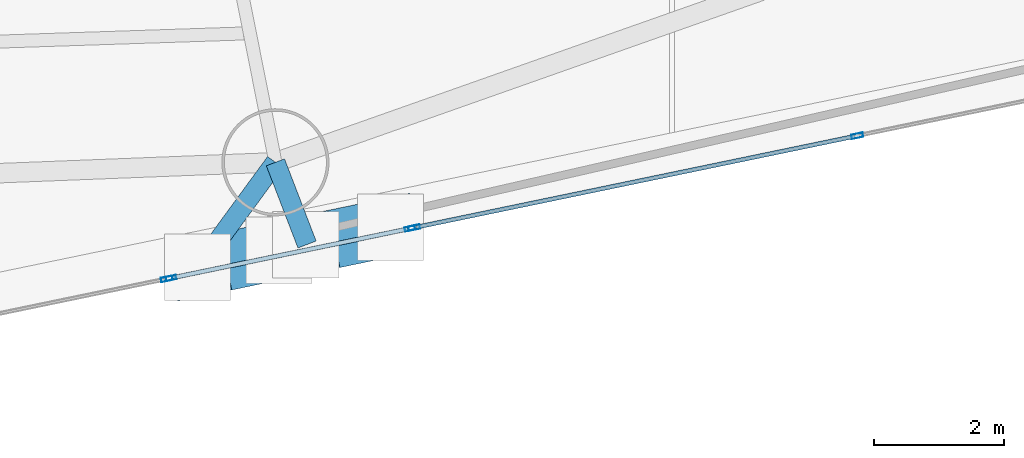
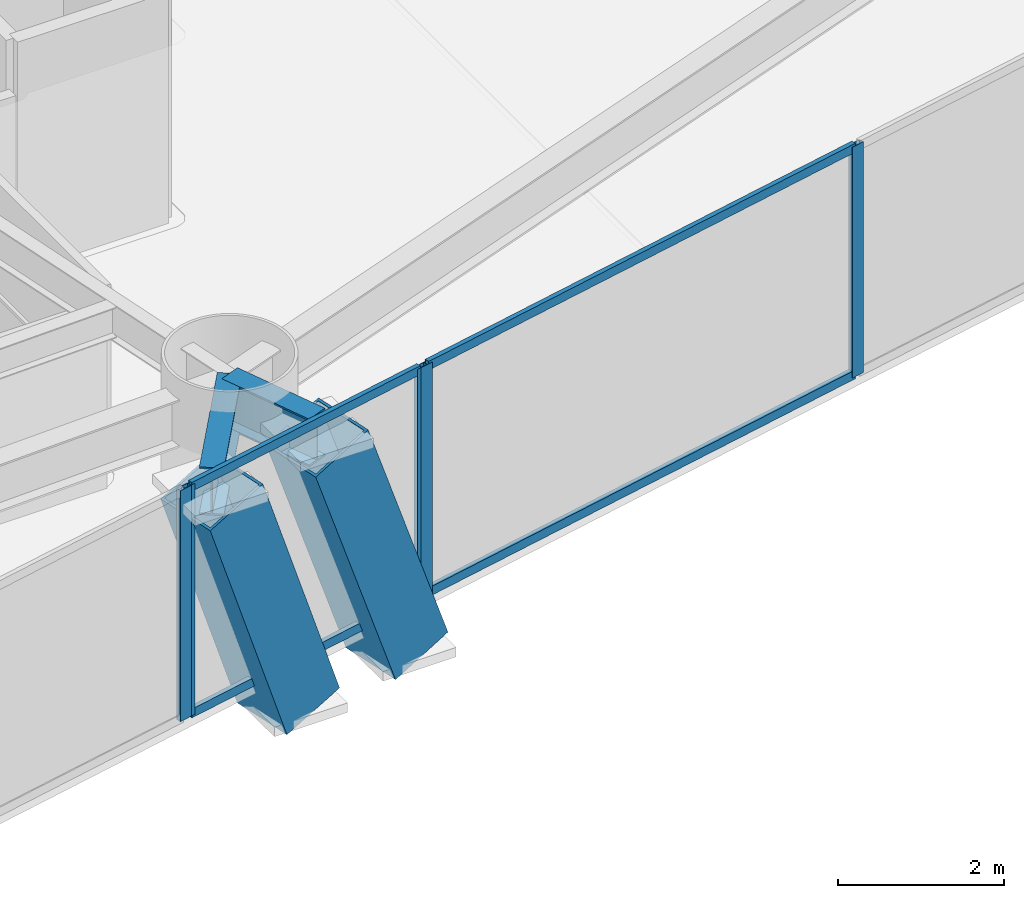
# One storey, part 4 of 22: 11 members, 2 beams, 3 elements without a shape of their own.
"""IFC4 building model written with IfcOpenShell, lengths in metres."""

from ifc_helpers import new_model, si_unit, direction, frame, origin, origin_2d, place, context, subcontext, project, spatial, hollow_rectangle, i_section, extrude, material, layer, layer_set, material_profile, profile_set, type_object, element, aggregate, save


model = new_model("IFC4")

# Units and contexts
model_context = context("Model", 3, precision=1e-05, world=origin(), true_north=direction((0.0, 1.0)))
body_context = subcontext(model_context, "Body", "Model", "MODEL_VIEW")
ifc_project = project(units=[si_unit("LENGTHUNIT", "METRE"), si_unit("AREAUNIT", "SQUARE_METRE"), si_unit("VOLUMEUNIT", "CUBIC_METRE"), si_unit("PLANEANGLEUNIT", "RADIAN"), si_unit("MASSUNIT", "GRAM", prefix="KILO")], contexts=[model_context])

# Site, building, storey
site_placement = place(None, origin())
site = spatial("IfcSite", under=ifc_project, at=site_placement, CompositionType="ELEMENT")
building_placement = place(site_placement, origin())
building = spatial("IfcBuilding", under=site, at=building_placement, Name="Qianvela Tower", CompositionType="ELEMENT")
storey_placement = place(building_placement, frame((0.0, 0.0, 89.5)))
storey = spatial("IfcBuildingStorey", under=building, at=storey_placement, Name="L22", CompositionType="ELEMENT", Elevation=89.5)

# Beams
ifc_material_1 = material(Name="Steel Q355B", Category="steel")
ifc_material_profile_1 = material_profile(ifc_material_1, i_section(OverallWidth=0.300048828125, OverallDepth=0.699951171875, WebThickness=0.012939453125, FlangeThickness=0.02392578125, at=origin_2d()), Name="HN700x300x13x24")
ifc_profile_set_1 = profile_set([ifc_material_profile_1], Name="Steel Q355B")
beam_type = type_object("IfcBeamType", Name="BM-HN700-SPAND", PredefinedType="SPANDREL", material=ifc_profile_set_1)
beam_1_placement = place(storey_placement, frame((40.18896484375, 14.819091796875, 3.048095703125), z_axis=(-0.590828364061, -0.806797275789, 0.0), x_axis=(0.806797275789, -0.590828364061, 0.0)))
element("IfcBeam", 1, at=beam_1_placement, inside=storey, type_object=beam_type, Name="L22 Mega-Brace Column Tie Bracket F3-1", PredefinedType="SPANDREL", context=body_context, shape_type="SweptSolid", body=[
    extrude(i_section(OverallWidth=0.300048828125, OverallDepth=0.699951171875, WebThickness=0.012939453125, FlangeThickness=0.02392578125, at=origin_2d()), origin(), (0.0, 0.0, 1.0), 1.99755859375),
])
beam_2_placement = place(storey_placement, frame((40.18896484375, 14.819091796875, 3.048095703125), z_axis=(0.359039377657, -0.933322412295, 0.0), x_axis=(0.933322412295, 0.359039377657, 0.0)))
element("IfcBeam", 2, at=beam_2_placement, inside=storey, type_object=beam_type, Name="L22 Mega-Brace Column Tie Bracket F3-2", PredefinedType="SPANDREL", context=body_context, shape_type="SweptSolid", body=[
    extrude(i_section(OverallWidth=0.300048828125, OverallDepth=0.699951171875, WebThickness=0.012939453125, FlangeThickness=0.02392578125, at=origin_2d()), origin(), (0.0, 0.0, 1.0), 1.3564453125),
])

# Curtain wall, members
ifc_material_2 = material(Name="Anodised Architectural Aluminium and Insulated Spandrel Panel", Category="aluminium")
ifc_layer_1 = layer(ifc_material_2, 0.179931640625)
ifc_layer_set_1 = layer_set([ifc_layer_1], Name="Anodised Architectural Aluminium and Insulated Spandrel Panel")
curtain_wall_type_1 = type_object("IfcCurtainWallType", Name="CW-BRACEBAY", PredefinedType="USERDEFINED", material=ifc_layer_set_1)
curtain_wall_1_placement = place(storey_placement, origin())
curtain_wall_1 = element("IfcCurtainWall", 3, at=curtain_wall_1_placement, inside=storey, type_object=curtain_wall_type_1, Name="L22 CW-BRACEBAY Curtain Wall 06B", ObjectType="CURTAIN_WALL_SYSTEM", PredefinedType="USERDEFINED")
ifc_material_3 = material(Name="Anodised Architectural Aluminium 6063-T6", Category="aluminium")
ifc_material_profile_2 = material_profile(ifc_material_3, hollow_rectangle(XDim=0.06494140625, YDim=0.159912109375, WallThickness=0.0048828125, at=origin_2d()), Name="ALU-MULL-65x160")
ifc_profile_set_2 = profile_set([ifc_material_profile_2], Name="Anodised Architectural Aluminium 6063-T6")
member_type_1 = type_object("IfcMemberType", Name="CW-BRACEBAY-MULL", PredefinedType="MULLION", material=ifc_profile_set_2)
member_1_placement = place(storey_placement, frame((38.582275390625, 13.037353515625, 0.0), z_axis=(0.0, 0.0, 1.0), x_axis=(-0.203008102716, 0.979177057652, 0.0)))
member_1 = element("IfcMember", 4, at=member_1_placement, type_object=member_type_1, Name="CW-9 mullion 1", PredefinedType="MULLION", context=body_context, shape_type="SweptSolid", body=[
    extrude(hollow_rectangle(XDim=0.06494140625, YDim=0.159912109375, WallThickness=0.0048828125, at=origin_2d()), origin(), (0.0, 0.0, 1.0), 3.39990234375),
])
member_2_placement = place(storey_placement, frame((42.259033203125, 13.799560546875, 0.0), z_axis=(0.0, 0.0, 1.0), x_axis=(-0.203008102716, 0.979177057652, 0.0)))
member_2 = element("IfcMember", 5, at=member_2_placement, type_object=member_type_1, Name="CW-9 mullion 2", PredefinedType="MULLION", context=body_context, shape_type="SweptSolid", body=[
    extrude(hollow_rectangle(XDim=0.06494140625, YDim=0.159912109375, WallThickness=0.0048828125, at=origin_2d()), origin(), (0.0, 0.0, 1.0), 3.39990234375),
])
ifc_material_4 = material(Name="Anodised Architectural Aluminium 6063-T6", Category="aluminium")
ifc_material_profile_3 = material_profile(ifc_material_4, hollow_rectangle(XDim=0.06494140625, YDim=0.1298828125, WallThickness=0.00439453125, at=origin_2d()), Name="ALU-TRAN-65x130")
ifc_profile_set_3 = profile_set([ifc_material_profile_3], Name="Anodised Architectural Aluminium 6063-T6")
member_type_2 = type_object("IfcMemberType", Name="CW-BRACEBAY-TRAN", PredefinedType="USERDEFINED", material=ifc_profile_set_3)
member_3_placement = place(storey_placement, frame((38.614013671875, 13.0439453125, 0.032470703125), z_axis=(0.979182493012, 0.202981884362, 0.0), x_axis=(-0.202981884362, 0.979182493012, 0.0)))
member_3 = element("IfcMember", 6, at=member_3_placement, type_object=member_type_2, Name="CW-9 transom 1.1", ObjectType="TRANSOM", PredefinedType="USERDEFINED", context=body_context, shape_type="SweptSolid", body=[
    extrude(hollow_rectangle(XDim=0.06494140625, YDim=0.1298828125, WallThickness=0.00439453125, at=origin_2d()), origin(), (0.0, 0.0, 1.0), 3.690185546875),
])
member_4_placement = place(storey_placement, frame((38.614013671875, 13.0439453125, 3.367431640625), z_axis=(0.979182493012, 0.202981884362, 0.0), x_axis=(-0.202981884362, 0.979182493012, 0.0)))
member_4 = element("IfcMember", 7, at=member_4_placement, type_object=member_type_2, Name="CW-9 transom 1.2", ObjectType="TRANSOM", PredefinedType="USERDEFINED", context=body_context, shape_type="SweptSolid", body=[
    extrude(hollow_rectangle(XDim=0.06494140625, YDim=0.1298828125, WallThickness=0.00439453125, at=origin_2d()), origin(), (0.0, 0.0, 1.0), 3.690185546875),
])
aggregate(curtain_wall_1, [member_1, member_2, member_3, member_4])

# Curtain wall, member
ifc_material_5 = material(Name="Anodised Architectural Aluminium and Low-E Glass", Category="aluminium")
ifc_layer_2 = layer(ifc_material_5, 0.179931640625)
ifc_layer_set_2 = layer_set([ifc_layer_2], Name="Anodised Architectural Aluminium and Low-E Glass")
curtain_wall_type_2 = type_object("IfcCurtainWallType", Name="CW-COLIV-Z12", PredefinedType="USERDEFINED", material=ifc_layer_set_2)
curtain_wall_2_placement = place(storey_placement, origin())
curtain_wall_2 = element("IfcCurtainWall", 8, at=curtain_wall_2_placement, inside=storey, type_object=curtain_wall_type_2, Name="L22 CW-COLIV-Z12 Curtain Wall 06A", ObjectType="CURTAIN_WALL_SYSTEM", PredefinedType="USERDEFINED")
ifc_material_6 = material(Name="Anodised Architectural Aluminium 6063-T6", Category="aluminium")
ifc_material_profile_4 = material_profile(ifc_material_6, hollow_rectangle(XDim=0.070068359375, YDim=0.179931640625, WallThickness=0.0048828125, at=origin_2d()), Name="ALU-MULL-70x180")
ifc_profile_set_4 = profile_set([ifc_material_profile_4], Name="Anodised Architectural Aluminium 6063-T6")
member_type_3 = type_object("IfcMemberType", Name="CW-COLIV-Z12-MULL", PredefinedType="MULLION", material=ifc_profile_set_4)
member_5_placement = place(storey_placement, frame((38.51611328125, 13.023681640625, 0.0), z_axis=(0.0, 0.0, 1.0), x_axis=(-0.203008219816, 0.979177033374, 0.0)))
member_5 = element("IfcMember", 9, at=member_5_placement, type_object=member_type_3, Name="CW-3 mullion 2", PredefinedType="MULLION", context=body_context, shape_type="SweptSolid", body=[
    extrude(hollow_rectangle(XDim=0.070068359375, YDim=0.179931640625, WallThickness=0.0048828125, at=origin_2d()), origin(), (0.0, 0.0, 1.0), 3.39990234375),
])
aggregate(curtain_wall_2, [member_5])

# Curtain wall, members
curtain_wall_3_placement = place(storey_placement, origin())
curtain_wall_3 = element("IfcCurtainWall", 10, at=curtain_wall_3_placement, inside=storey, type_object=curtain_wall_type_2, Name="L22 CW-COLIV-Z12 Curtain Wall 06C", ObjectType="CURTAIN_WALL_SYSTEM", PredefinedType="USERDEFINED")
member_6_placement = place(storey_placement, frame((42.3251953125, 13.813232421875, 0.0), z_axis=(0.0, 0.0, 1.0), x_axis=(-0.203004041838, 0.979177899565, 0.0)))
member_6 = element("IfcMember", 11, at=member_6_placement, type_object=member_type_3, Name="CW-3 mullion 1", PredefinedType="MULLION", context=body_context, shape_type="SweptSolid", body=[
    extrude(hollow_rectangle(XDim=0.070068359375, YDim=0.179931640625, WallThickness=0.0048828125, at=origin_2d()), origin(), (0.0, 0.0, 1.0), 3.39990234375),
])
member_7_placement = place(storey_placement, frame((49.145263671875, 15.227294921875, 0.0), z_axis=(0.0, 0.0, 1.0), x_axis=(-0.203004041838, 0.979177899565, 0.0)))
member_7 = element("IfcMember", 12, at=member_7_placement, type_object=member_type_3, Name="CW-3 mullion 2", PredefinedType="MULLION", context=body_context, shape_type="SweptSolid", body=[
    extrude(hollow_rectangle(XDim=0.070068359375, YDim=0.179931640625, WallThickness=0.0048828125, at=origin_2d()), origin(), (0.0, 0.0, 1.0), 3.39990234375),
])
ifc_material_7 = material(Name="Anodised Architectural Aluminium 6063-T6", Category="aluminium")
ifc_material_profile_5 = material_profile(ifc_material_7, hollow_rectangle(XDim=0.06494140625, YDim=0.1298828125, WallThickness=0.00439453125, at=origin_2d()), Name="ALU-TRAN-65x130")
ifc_profile_set_5 = profile_set([ifc_material_profile_5], Name="Anodised Architectural Aluminium 6063-T6")
member_type_4 = type_object("IfcMemberType", Name="CW-COLIV-Z12-TRAN", PredefinedType="USERDEFINED", material=ifc_profile_set_5)
member_8_placement = place(storey_placement, frame((42.359375, 13.8203125, 0.032470703125), z_axis=(0.979174094942, 0.203022392348, 0.0), x_axis=(-0.203022392348, 0.979174094942, 0.0)))
member_8 = element("IfcMember", 13, at=member_8_placement, type_object=member_type_4, Name="CW-3 transom 1.1", ObjectType="TRANSOM", PredefinedType="USERDEFINED", context=body_context, shape_type="SweptSolid", body=[
    extrude(hollow_rectangle(XDim=0.06494140625, YDim=0.1298828125, WallThickness=0.00439453125, at=origin_2d()), origin(), (0.0, 0.0, 1.0), 6.895263671875),
])
member_9_placement = place(storey_placement, frame((42.359375, 13.8203125, 3.367431640625), z_axis=(0.979174094942, 0.203022392348, 0.0), x_axis=(-0.203022392348, 0.979174094942, 0.0)))
member_9 = element("IfcMember", 14, at=member_9_placement, type_object=member_type_4, Name="CW-3 transom 1.2", ObjectType="TRANSOM", PredefinedType="USERDEFINED", context=body_context, shape_type="SweptSolid", body=[
    extrude(hollow_rectangle(XDim=0.06494140625, YDim=0.1298828125, WallThickness=0.00439453125, at=origin_2d()), origin(), (0.0, 0.0, 1.0), 6.895263671875),
])
aggregate(curtain_wall_3, [member_6, member_7, member_8, member_9])

# Members
ifc_material_8 = material(Name="Steel Q420GJC", Category="steel")
ifc_material_profile_6 = material_profile(ifc_material_8, hollow_rectangle(XDim=0.89990234375, YDim=0.89990234375, WallThickness=0.035888671875, at=origin_2d()), Name="MBOX-900x900x36")
ifc_profile_set_6 = profile_set([ifc_material_profile_6], Name="Steel Q420GJC")
member_type_5 = type_object("IfcMemberType", Name="MBR-MBRACE-900", PredefinedType="BRACE", material=ifc_profile_set_6)
member_10_placement = place(storey_placement, frame((40.222412109375, 13.458984375, -0.531982421875), z_axis=(-0.320340124743, -0.066375040934, 0.944974369187), x_axis=(0.202892197349, -0.979201080603, 0.0)))
element("IfcMember", 15, at=member_10_placement, inside=storey, type_object=member_type_5, Name="L22 Tier 3 Exterior Mega-Brace F3A", PredefinedType="BRACE", context=body_context, shape_type="SweptSolid", body=[
    extrude(hollow_rectangle(XDim=0.89990234375, YDim=0.89990234375, WallThickness=0.035888671875, at=origin_2d()), origin(), (0.0, 0.0, 1.0), 3.78857421875),
])
member_11_placement = place(storey_placement, frame((41.9384765625, 13.814697265625, -0.531982421875), z_axis=(-0.331773520142, -0.068779967819, 0.940848365763), x_axis=(0.202993808289, -0.979180021138, 0.0)))
element("IfcMember", 16, at=member_11_placement, inside=storey, type_object=member_type_5, Name="L22 Tier 3 Exterior Mega-Brace F3B", PredefinedType="BRACE", context=body_context, shape_type="SweptSolid", body=[
    extrude(hollow_rectangle(XDim=0.89990234375, YDim=0.89990234375, WallThickness=0.035888671875, at=origin_2d()), origin(), (0.0, 0.0, 1.0), 3.80517578125),
])

save(model, "model.ifc")
